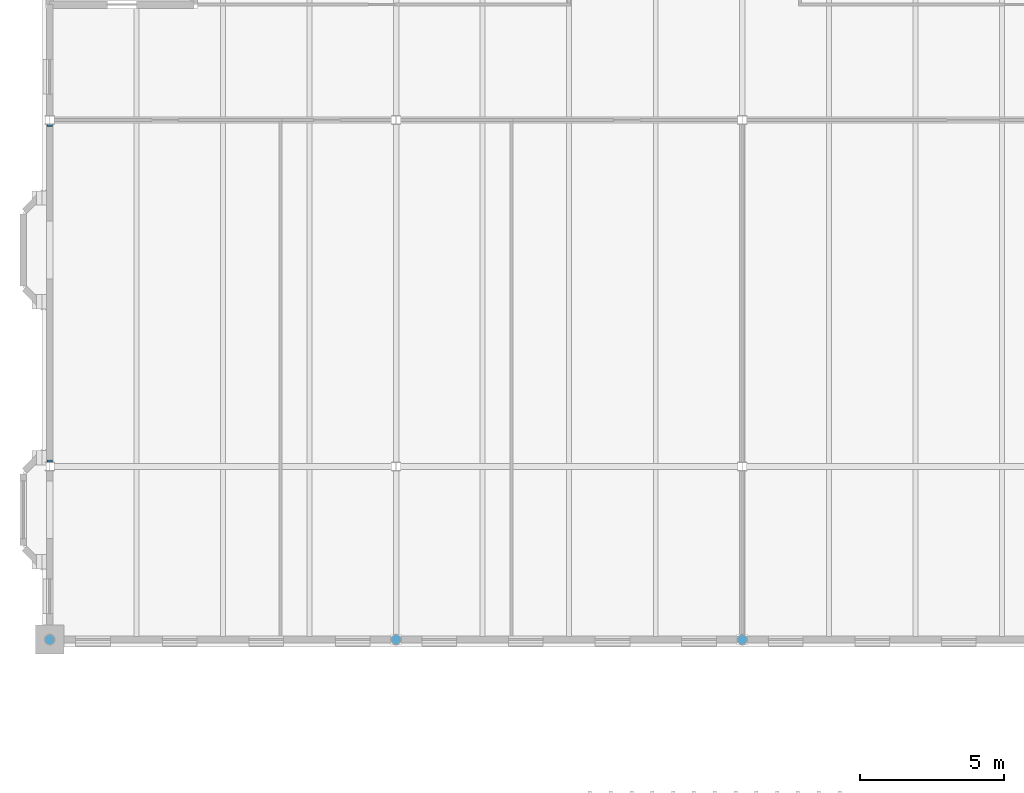
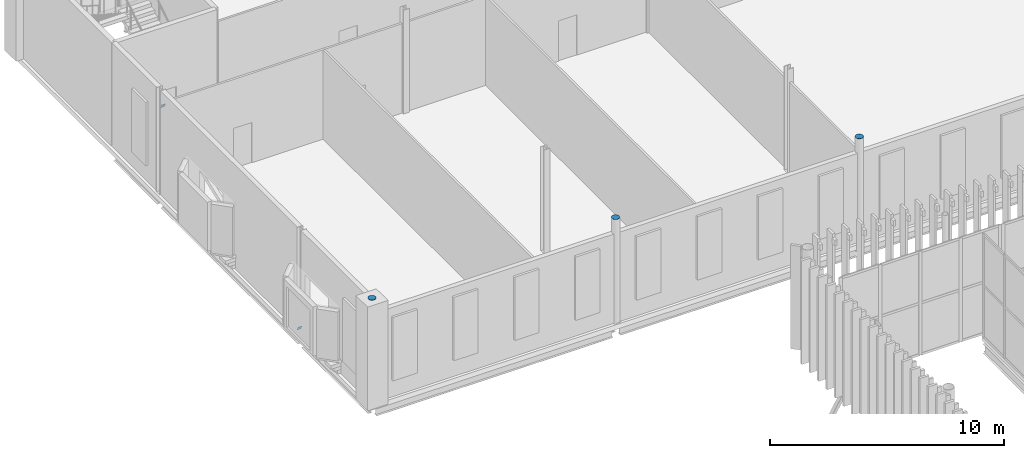
# One storey, part 150 of 170: 5 discrete accessories.
"""IFC4 building model written with IfcOpenShell, lengths in metres."""

from ifc_helpers import new_model, si_unit, direction, frame, origin, origin_2d, place, context, subcontext, project, spatial, rectangle, circle, extrude, material, material_profile, profile_set, type_object, element, save


model = new_model("IFC4")

# Units and contexts
model_context = context("Model", 3, precision=1e-05, world=origin(), true_north=direction((0.0, 1.0)))
body_context = subcontext(model_context, "Body", "Model", "MODEL_VIEW")
ifc_project = project(units=[si_unit("LENGTHUNIT", "METRE"), si_unit("AREAUNIT", "SQUARE_METRE"), si_unit("VOLUMEUNIT", "CUBIC_METRE"), si_unit("PLANEANGLEUNIT", "RADIAN"), si_unit("MASSUNIT", "GRAM", prefix="KILO")], contexts=[model_context])

# Site, building, storey
site_placement = place(None, origin())
site = spatial("IfcSite", under=ifc_project, at=site_placement, CompositionType="ELEMENT")
building_placement = place(site_placement, origin())
building = spatial("IfcBuilding", under=site, at=building_placement, Name="Ravi Spectrum Wholesale Market", CompositionType="ELEMENT")
storey_placement = place(building_placement, frame((0.0, 0.0, 5.39990234375)))
storey = spatial("IfcBuildingStorey", under=building, at=storey_placement, Name="L01", CompositionType="ELEMENT", Elevation=5.39990234375)

# Discrete accessories
ifc_material_1 = material(Name="Steel S355", Category="steel")
ifc_material_profile_1 = material_profile(ifc_material_1, circle(Radius=0.177734375, at=origin_2d()))
ifc_profile_set_1 = profile_set([ifc_material_profile_1], Name="Steel S355")
discrete_accessory_type_1 = type_object("IfcDiscreteAccessoryType", Name="End plate CHS 355.6x12.5", PredefinedType="BRACKET", material=ifc_profile_set_1)
for number, where, z_axis, x_axis, name in (
    (1, (12.0, 204.0, 5.400146484375), (0.0, 0.0, 1.0), (1.0, 0.0, 0.0), "End plate"),
    (2, (24.0, 204.0, 5.400146484375), (0.0, 0.0, 1.0), (1.0, 0.0, 0.0), "End plate"),
    (3, (36.0, 204.0, 5.400146484375), (0.0, 0.0, 1.0), (1.0, 0.0, 0.0), "End plate"),
):
    element("IfcDiscreteAccessory", number, at=place(storey_placement, frame(where, z_axis=z_axis, x_axis=x_axis)), inside=storey, type_object=discrete_accessory_type_1, Name=name, PredefinedType="BRACKET", context=body_context, shape_type="SweptSolid", body=[
        extrude(circle(Radius=0.177734375, at=origin_2d()), origin(), (0.0, 0.0, 1.0), 0.011962890625),
    ])
ifc_material_2 = material(Name="Steel S355", Category="steel")
ifc_material_profile_2 = material_profile(ifc_material_2, rectangle(XDim=0.199951171875, YDim=0.199951171875, at=origin_2d()))
ifc_profile_set_2 = profile_set([ifc_material_profile_2], Name="Steel S355")
discrete_accessory_type_2 = type_object("IfcDiscreteAccessoryType", Name="End plate SHS 200x200x8", PredefinedType="BRACKET", material=ifc_profile_set_2)
for number, where, z_axis, x_axis, name in (
    (4, (12.0, 210.186279296875, 0.09326171875), (0.0, -0.931242779706, -0.364399348581), (1.0, 0.0, 0.0), "End plate"),
    (5, (12.0, 221.813720703125, 4.60693359375), (0.0, 0.931242779706, 0.364399348581), (-1.0, 0.0, 0.0), "End plate"),
):
    element("IfcDiscreteAccessory", number, at=place(storey_placement, frame(where, z_axis=z_axis, x_axis=x_axis)), inside=storey, type_object=discrete_accessory_type_2, Name=name, PredefinedType="BRACKET", context=body_context, shape_type="SweptSolid", body=[
        extrude(rectangle(XDim=0.199951171875, YDim=0.199951171875, at=origin_2d()), origin(), (0.0, 0.0, 1.0), 0.011962890625),
    ])

save(model, "model.ifc")
